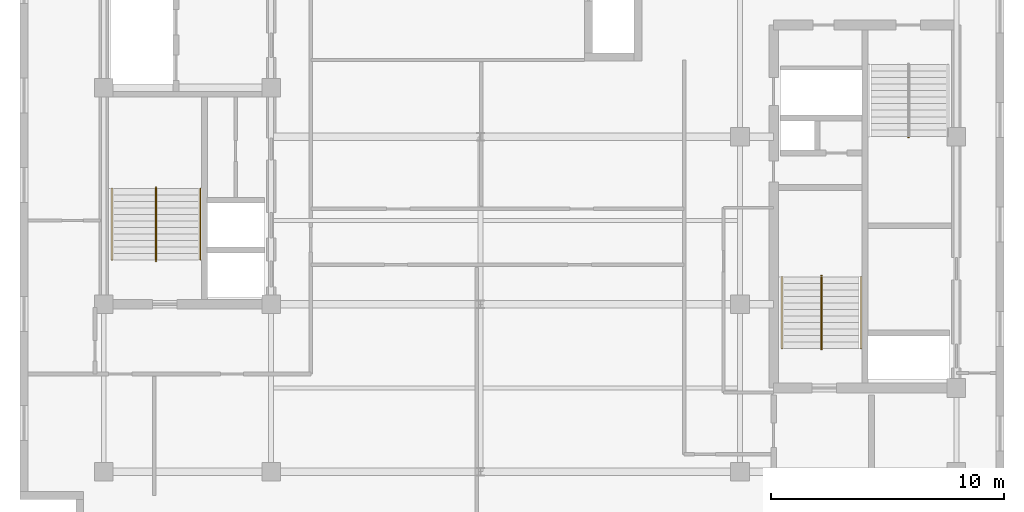
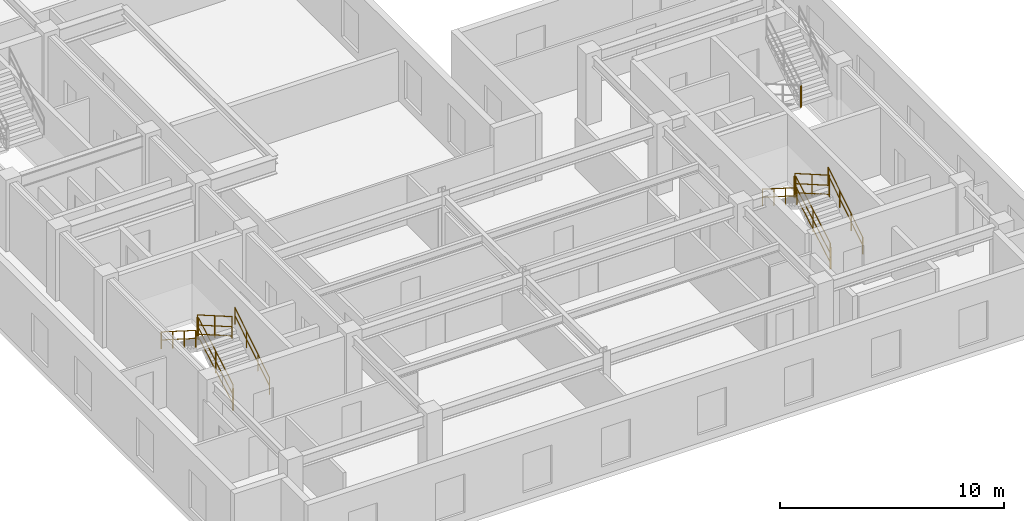
# One storey, part 7 of 9: 13 railings.
"""IFC4 building model written with IfcOpenShell, lengths in metres."""

from ifc_helpers import new_model, entity, si_unit, converted_unit, direction, frame, origin_with_axes, origin_2d_with_axis, place, context, subcontext, project, spatial, rectangle, circle, extrude, material, type_object, element, save


model = new_model("IFC4")

# Units and contexts
model_context = context("Model", 3, precision=1e-05, world=origin_with_axes(), true_north=direction((0.0, 1.0)))
body_context = subcontext(model_context, "Body", "Model", "MODEL_VIEW")
ifc_project = project(units=[si_unit("LENGTHUNIT", "METRE"), si_unit("AREAUNIT", "SQUARE_METRE"), si_unit("VOLUMEUNIT", "CUBIC_METRE"), converted_unit("PLANEANGLEUNIT", "DEGREE", entity("IfcPlaneAngleMeasure", 0.017453292519943295), si_unit("PLANEANGLEUNIT", "RADIAN"), dimensions=[0, 0, 0, 0, 0, 0, 0]), si_unit("MASSUNIT", "GRAM", prefix="KILO"), si_unit("THERMODYNAMICTEMPERATUREUNIT", "KELVIN")], contexts=[model_context])

# Site, building, storey
site_placement = place(None, origin_with_axes())
site = spatial("IfcSite", under=ifc_project, at=site_placement, CompositionType="ELEMENT")
building_placement = place(site_placement, origin_with_axes())
building = spatial("IfcBuilding", under=site, at=building_placement, Name="Varnlund Millrace Tower", CompositionType="ELEMENT")
storey_placement = place(building_placement, frame((0.0, 0.0, 252.9), z_axis=(0.0, 0.0, 1.0), x_axis=(1.0, 0.0, 0.0)))
storey = spatial("IfcBuildingStorey", under=building, at=storey_placement, Name="L62", CompositionType="ELEMENT", Elevation=252.9)

# Railings
ifc_material_1 = material(Name="Painted steel stair well balustrade guard", Category="steel")
railing_type_1 = type_object("IfcRailingType", Name="Type-StairGuard-1150", PredefinedType="GUARDRAIL", material=ifc_material_1)
railing_1_placement = place(storey_placement, frame((0.0, 0.0, -252.9), z_axis=(0.0, 0.0, 1.0), x_axis=(1.0, 0.0, 0.0)))
element("IfcRailing", 1, at=railing_1_placement, inside=storey, type_object=railing_type_1, Name="Type-StairGuard-1150", PredefinedType="GUARDRAIL", context=body_context, shape_type="SweptSolid", body=[
    extrude(circle(Radius=0.024, at=origin_2d_with_axis()), frame((13.675, 12.7, 254.227273), z_axis=(0.0, 0.866696, 0.498836), x_axis=(-1.0, 0.0, 0.0)), (0.0, 0.0, 1.0), 3.553725),
    extrude(circle(Radius=0.024, at=origin_2d_with_axis()), frame((13.675, 12.7, 253.177273), z_axis=(0.0, 0.866696, 0.498836), x_axis=(-1.0, 0.0, 0.0)), (0.0, 0.0, 1.0), 3.553725),
    extrude(circle(Radius=0.024, at=origin_2d_with_axis()), frame((13.675, 12.7, 253.675273), z_axis=(0.0, 0.866696, 0.498836), x_axis=(-1.0, 0.0, 0.0)), (0.0, 0.0, 1.0), 3.553725),
    extrude(rectangle(XDim=0.04, YDim=0.04, at=origin_2d_with_axis()), frame((13.675, 12.7, 253.037273), z_axis=(0.0, 0.0, 1.0), x_axis=(1.0, 0.0, 0.0)), (0.0, 0.0, 1.0), 1.19),
    extrude(rectangle(XDim=0.04, YDim=0.04, at=origin_2d_with_axis()), frame((13.675, 14.24, 253.923637), z_axis=(0.0, 0.0, 1.0), x_axis=(1.0, 0.0, 0.0)), (0.0, 0.0, 1.0), 1.19),
    extrude(rectangle(XDim=0.04, YDim=0.04, at=origin_2d_with_axis()), frame((13.675, 15.78, 254.81), z_axis=(0.0, 0.0, 1.0), x_axis=(1.0, 0.0, 0.0)), (0.0, 0.0, 1.0), 1.19),
])
railing_2_placement = place(storey_placement, frame((0.0, 0.0, -252.9), z_axis=(0.0, 0.0, 1.0), x_axis=(1.0, 0.0, 0.0)))
element("IfcRailing", 2, at=railing_2_placement, inside=storey, type_object=railing_type_1, Name="Type-StairGuard-1150", PredefinedType="GUARDRAIL", context=body_context, shape_type="SweptSolid", body=[
    extrude(circle(Radius=0.024, at=origin_2d_with_axis()), frame((13.625, 15.83, 256.0), z_axis=(1.0, 0.0, 0.0), x_axis=(0.0, 1.0, 0.0)), (0.0, 0.0, 1.0), 0.05),
    extrude(circle(Radius=0.024, at=origin_2d_with_axis()), frame((13.625, 15.83, 254.95), z_axis=(1.0, 0.0, 0.0), x_axis=(0.0, 1.0, 0.0)), (0.0, 0.0, 1.0), 0.05),
    extrude(circle(Radius=0.024, at=origin_2d_with_axis()), frame((13.625, 15.83, 255.448), z_axis=(1.0, 0.0, 0.0), x_axis=(0.0, 1.0, 0.0)), (0.0, 0.0, 1.0), 0.05),
    extrude(rectangle(XDim=0.04, YDim=0.04, at=origin_2d_with_axis()), frame((13.625, 15.83, 254.81), z_axis=(0.0, 0.0, 1.0), x_axis=(1.0, 0.0, 0.0)), (0.0, 0.0, 1.0), 1.19),
    extrude(rectangle(XDim=0.04, YDim=0.04, at=origin_2d_with_axis()), frame((13.675, 15.83, 254.81), z_axis=(0.0, 0.0, 1.0), x_axis=(1.0, 0.0, 0.0)), (0.0, 0.0, 1.0), 1.19),
])
railing_3_placement = place(storey_placement, frame((0.0, 0.0, -252.9), z_axis=(0.0, 0.0, 1.0), x_axis=(1.0, 0.0, 0.0)))
element("IfcRailing", 3, at=railing_3_placement, inside=storey, type_object=railing_type_1, Name="Type-StairGuard-1150", PredefinedType="GUARDRAIL", context=body_context, shape_type="SweptSolid", body=[
    extrude(circle(Radius=0.024, at=origin_2d_with_axis()), frame((13.625, 15.78, 256.177273), z_axis=(0.0, -0.866696, 0.498836), x_axis=(1.0, 0.0, 0.0)), (0.0, 0.0, 1.0), 3.553725),
    extrude(circle(Radius=0.024, at=origin_2d_with_axis()), frame((13.625, 15.78, 255.127273), z_axis=(0.0, -0.866696, 0.498836), x_axis=(1.0, 0.0, 0.0)), (0.0, 0.0, 1.0), 3.553725),
    extrude(circle(Radius=0.024, at=origin_2d_with_axis()), frame((13.625, 15.78, 255.625273), z_axis=(0.0, -0.866696, 0.498836), x_axis=(1.0, 0.0, 0.0)), (0.0, 0.0, 1.0), 3.553725),
    extrude(rectangle(XDim=0.04, YDim=0.04, at=origin_2d_with_axis()), frame((13.625, 15.78, 254.987273), z_axis=(0.0, 0.0, 1.0), x_axis=(1.0, 0.0, 0.0)), (0.0, 0.0, 1.0), 1.19),
    extrude(rectangle(XDim=0.04, YDim=0.04, at=origin_2d_with_axis()), frame((13.625, 14.24, 255.873637), z_axis=(0.0, 0.0, 1.0), x_axis=(1.0, 0.0, 0.0)), (0.0, 0.0, 1.0), 1.19),
    extrude(rectangle(XDim=0.04, YDim=0.04, at=origin_2d_with_axis()), frame((13.625, 12.7, 256.76), z_axis=(0.0, 0.0, 1.0), x_axis=(1.0, 0.0, 0.0)), (0.0, 0.0, 1.0), 1.19),
])
railing_4_placement = place(storey_placement, frame((0.0, 0.0, -252.9), z_axis=(0.0, 0.0, 1.0), x_axis=(1.0, 0.0, 0.0)))
element("IfcRailing", 4, at=railing_4_placement, inside=storey, type_object=railing_type_1, Name="Type-StairGuard-1150", PredefinedType="GUARDRAIL", context=body_context, shape_type="SweptSolid", body=[
    extrude(circle(Radius=0.024, at=origin_2d_with_axis()), frame((13.625, 12.65, 254.05), z_axis=(1.0, 0.0, 0.0), x_axis=(0.0, 1.0, 0.0)), (0.0, 0.0, 1.0), 0.05),
    extrude(circle(Radius=0.024, at=origin_2d_with_axis()), frame((13.625, 12.65, 253.0), z_axis=(1.0, 0.0, 0.0), x_axis=(0.0, 1.0, 0.0)), (0.0, 0.0, 1.0), 0.05),
    extrude(circle(Radius=0.024, at=origin_2d_with_axis()), frame((13.625, 12.65, 253.498), z_axis=(1.0, 0.0, 0.0), x_axis=(0.0, 1.0, 0.0)), (0.0, 0.0, 1.0), 0.05),
    extrude(rectangle(XDim=0.04, YDim=0.04, at=origin_2d_with_axis()), frame((13.625, 12.65, 252.86), z_axis=(0.0, 0.0, 1.0), x_axis=(1.0, 0.0, 0.0)), (0.0, 0.0, 1.0), 1.19),
    extrude(rectangle(XDim=0.04, YDim=0.04, at=origin_2d_with_axis()), frame((13.675, 12.65, 252.86), z_axis=(0.0, 0.0, 1.0), x_axis=(1.0, 0.0, 0.0)), (0.0, 0.0, 1.0), 1.19),
])
railing_5_placement = place(storey_placement, frame((0.0, 0.0, -252.9), z_axis=(0.0, 0.0, 1.0), x_axis=(1.0, 0.0, 0.0)))
element("IfcRailing", 5, at=railing_5_placement, inside=storey, type_object=railing_type_1, Name="Type-StairGuard-1150", PredefinedType="GUARDRAIL", context=body_context, shape_type="SweptSolid", body=[
    extrude(circle(Radius=0.024, at=origin_2d_with_axis()), frame((42.275, 8.9, 254.227273), z_axis=(0.0, 0.866696, 0.498836), x_axis=(-1.0, 0.0, 0.0)), (0.0, 0.0, 1.0), 3.553725),
    extrude(circle(Radius=0.024, at=origin_2d_with_axis()), frame((42.275, 8.9, 253.177273), z_axis=(0.0, 0.866696, 0.498836), x_axis=(-1.0, 0.0, 0.0)), (0.0, 0.0, 1.0), 3.553725),
    extrude(circle(Radius=0.024, at=origin_2d_with_axis()), frame((42.275, 8.9, 253.675273), z_axis=(0.0, 0.866696, 0.498836), x_axis=(-1.0, 0.0, 0.0)), (0.0, 0.0, 1.0), 3.553725),
    extrude(rectangle(XDim=0.04, YDim=0.04, at=origin_2d_with_axis()), frame((42.275, 8.9, 253.037273), z_axis=(0.0, 0.0, 1.0), x_axis=(1.0, 0.0, 0.0)), (0.0, 0.0, 1.0), 1.19),
    extrude(rectangle(XDim=0.04, YDim=0.04, at=origin_2d_with_axis()), frame((42.275, 10.44, 253.923637), z_axis=(0.0, 0.0, 1.0), x_axis=(1.0, 0.0, 0.0)), (0.0, 0.0, 1.0), 1.19),
    extrude(rectangle(XDim=0.04, YDim=0.04, at=origin_2d_with_axis()), frame((42.275, 11.98, 254.81), z_axis=(0.0, 0.0, 1.0), x_axis=(1.0, 0.0, 0.0)), (0.0, 0.0, 1.0), 1.19),
])
railing_6_placement = place(storey_placement, frame((0.0, 0.0, -252.9), z_axis=(0.0, 0.0, 1.0), x_axis=(1.0, 0.0, 0.0)))
element("IfcRailing", 6, at=railing_6_placement, inside=storey, type_object=railing_type_1, Name="Type-StairGuard-1150", PredefinedType="GUARDRAIL", context=body_context, shape_type="SweptSolid", body=[
    extrude(circle(Radius=0.024, at=origin_2d_with_axis()), frame((42.225, 12.03, 256.0), z_axis=(1.0, 0.0, 0.0), x_axis=(0.0, 1.0, 0.0)), (0.0, 0.0, 1.0), 0.05),
    extrude(circle(Radius=0.024, at=origin_2d_with_axis()), frame((42.225, 12.03, 254.95), z_axis=(1.0, 0.0, 0.0), x_axis=(0.0, 1.0, 0.0)), (0.0, 0.0, 1.0), 0.05),
    extrude(circle(Radius=0.024, at=origin_2d_with_axis()), frame((42.225, 12.03, 255.448), z_axis=(1.0, 0.0, 0.0), x_axis=(0.0, 1.0, 0.0)), (0.0, 0.0, 1.0), 0.05),
    extrude(rectangle(XDim=0.04, YDim=0.04, at=origin_2d_with_axis()), frame((42.225, 12.03, 254.81), z_axis=(0.0, 0.0, 1.0), x_axis=(1.0, 0.0, 0.0)), (0.0, 0.0, 1.0), 1.19),
    extrude(rectangle(XDim=0.04, YDim=0.04, at=origin_2d_with_axis()), frame((42.275, 12.03, 254.81), z_axis=(0.0, 0.0, 1.0), x_axis=(1.0, 0.0, 0.0)), (0.0, 0.0, 1.0), 1.19),
])
railing_7_placement = place(storey_placement, frame((0.0, 0.0, -252.9), z_axis=(0.0, 0.0, 1.0), x_axis=(1.0, 0.0, 0.0)))
element("IfcRailing", 7, at=railing_7_placement, inside=storey, type_object=railing_type_1, Name="Type-StairGuard-1150", PredefinedType="GUARDRAIL", context=body_context, shape_type="SweptSolid", body=[
    extrude(circle(Radius=0.024, at=origin_2d_with_axis()), frame((42.225, 11.98, 256.177273), z_axis=(0.0, -0.866696, 0.498836), x_axis=(1.0, 0.0, 0.0)), (0.0, 0.0, 1.0), 3.553725),
    extrude(circle(Radius=0.024, at=origin_2d_with_axis()), frame((42.225, 11.98, 255.127273), z_axis=(0.0, -0.866696, 0.498836), x_axis=(1.0, 0.0, 0.0)), (0.0, 0.0, 1.0), 3.553725),
    extrude(circle(Radius=0.024, at=origin_2d_with_axis()), frame((42.225, 11.98, 255.625273), z_axis=(0.0, -0.866696, 0.498836), x_axis=(1.0, 0.0, 0.0)), (0.0, 0.0, 1.0), 3.553725),
    extrude(rectangle(XDim=0.04, YDim=0.04, at=origin_2d_with_axis()), frame((42.225, 11.98, 254.987273), z_axis=(0.0, 0.0, 1.0), x_axis=(1.0, 0.0, 0.0)), (0.0, 0.0, 1.0), 1.19),
    extrude(rectangle(XDim=0.04, YDim=0.04, at=origin_2d_with_axis()), frame((42.225, 10.44, 255.873637), z_axis=(0.0, 0.0, 1.0), x_axis=(1.0, 0.0, 0.0)), (0.0, 0.0, 1.0), 1.19),
    extrude(rectangle(XDim=0.04, YDim=0.04, at=origin_2d_with_axis()), frame((42.225, 8.9, 256.76), z_axis=(0.0, 0.0, 1.0), x_axis=(1.0, 0.0, 0.0)), (0.0, 0.0, 1.0), 1.19),
])
railing_8_placement = place(storey_placement, frame((0.0, 0.0, -252.9), z_axis=(0.0, 0.0, 1.0), x_axis=(1.0, 0.0, 0.0)))
element("IfcRailing", 8, at=railing_8_placement, inside=storey, type_object=railing_type_1, Name="Type-StairGuard-1150", PredefinedType="GUARDRAIL", context=body_context, shape_type="SweptSolid", body=[
    extrude(circle(Radius=0.024, at=origin_2d_with_axis()), frame((42.225, 8.85, 254.05), z_axis=(1.0, 0.0, 0.0), x_axis=(0.0, 1.0, 0.0)), (0.0, 0.0, 1.0), 0.05),
    extrude(circle(Radius=0.024, at=origin_2d_with_axis()), frame((42.225, 8.85, 253.0), z_axis=(1.0, 0.0, 0.0), x_axis=(0.0, 1.0, 0.0)), (0.0, 0.0, 1.0), 0.05),
    extrude(circle(Radius=0.024, at=origin_2d_with_axis()), frame((42.225, 8.85, 253.498), z_axis=(1.0, 0.0, 0.0), x_axis=(0.0, 1.0, 0.0)), (0.0, 0.0, 1.0), 0.05),
    extrude(rectangle(XDim=0.04, YDim=0.04, at=origin_2d_with_axis()), frame((42.225, 8.85, 252.86), z_axis=(0.0, 0.0, 1.0), x_axis=(1.0, 0.0, 0.0)), (0.0, 0.0, 1.0), 1.19),
    extrude(rectangle(XDim=0.04, YDim=0.04, at=origin_2d_with_axis()), frame((42.275, 8.85, 252.86), z_axis=(0.0, 0.0, 1.0), x_axis=(1.0, 0.0, 0.0)), (0.0, 0.0, 1.0), 1.19),
])
railing_9_placement = place(storey_placement, frame((0.0, 0.0, -252.9), z_axis=(0.0, 0.0, 1.0), x_axis=(1.0, 0.0, 0.0)))
element("IfcRailing", 9, at=railing_9_placement, inside=storey, type_object=railing_type_1, Name="Type-StairGuard-1150", PredefinedType="GUARDRAIL", context=body_context, shape_type="SweptSolid", body=[
    extrude(circle(Radius=0.024, at=origin_2d_with_axis()), frame((46.025, 17.97, 256.0), z_axis=(-1.0, 0.0, 0.0), x_axis=(0.0, -1.0, 0.0)), (0.0, 0.0, 1.0), 0.05),
    extrude(circle(Radius=0.024, at=origin_2d_with_axis()), frame((46.025, 17.97, 254.95), z_axis=(-1.0, 0.0, 0.0), x_axis=(0.0, -1.0, 0.0)), (0.0, 0.0, 1.0), 0.05),
    extrude(circle(Radius=0.024, at=origin_2d_with_axis()), frame((46.025, 17.97, 255.448), z_axis=(-1.0, 0.0, 0.0), x_axis=(0.0, -1.0, 0.0)), (0.0, 0.0, 1.0), 0.05),
    extrude(rectangle(XDim=0.04, YDim=0.04, at=origin_2d_with_axis()), frame((46.025, 17.97, 254.81), z_axis=(0.0, 0.0, 1.0), x_axis=(1.0, 0.0, 0.0)), (0.0, 0.0, 1.0), 1.19),
    extrude(rectangle(XDim=0.04, YDim=0.04, at=origin_2d_with_axis()), frame((45.975, 17.97, 254.81), z_axis=(0.0, 0.0, 1.0), x_axis=(1.0, 0.0, 0.0)), (0.0, 0.0, 1.0), 1.19),
])
ifc_material_2 = material(Name="Brushed architectural bronze stair handrail", Category="aluminium")
railing_type_2 = type_object("IfcRailingType", Name="Type-StairHandrail-900", PredefinedType="HANDRAIL", material=ifc_material_2)
railing_10_placement = place(storey_placement, frame((0.0, 0.0, -252.9), z_axis=(0.0, 0.0, 1.0), x_axis=(1.0, 0.0, 0.0)))
element("IfcRailing", 10, at=railing_10_placement, inside=storey, type_object=railing_type_2, Name="Type-StairHandrail-900", PredefinedType="HANDRAIL", context=body_context, shape_type="SweptSolid", body=[
    extrude(circle(Radius=0.024, at=origin_2d_with_axis()), frame((15.55, 12.7, 253.956995), z_axis=(0.0, 0.844902, 0.534922), x_axis=(-1.0, 0.0, 0.0)), (0.0, 0.0, 1.0), 3.645394),
    extrude(circle(Radius=0.024, at=origin_2d_with_axis()), frame((15.55, 12.7, 253.517134), z_axis=(0.0, 0.844902, 0.534922), x_axis=(-1.0, 0.0, 0.0)), (0.0, 0.0, 1.0), 3.645394),
    extrude(rectangle(XDim=0.04, YDim=0.04, at=origin_2d_with_axis()), frame((15.55, 12.7, 253.037273), z_axis=(0.0, 0.0, 1.0), x_axis=(1.0, 0.0, 0.0)), (0.0, 0.0, 1.0), 0.919722),
    extrude(rectangle(XDim=0.04, YDim=0.04, at=origin_2d_with_axis()), frame((15.55, 13.726667, 253.687273), z_axis=(0.0, 0.0, 1.0), x_axis=(1.0, 0.0, 0.0)), (0.0, 0.0, 1.0), 0.919722),
    extrude(rectangle(XDim=0.04, YDim=0.04, at=origin_2d_with_axis()), frame((15.55, 14.753333, 254.337273), z_axis=(0.0, 0.0, 1.0), x_axis=(1.0, 0.0, 0.0)), (0.0, 0.0, 1.0), 0.919722),
    extrude(rectangle(XDim=0.04, YDim=0.04, at=origin_2d_with_axis()), frame((15.55, 15.78, 254.987273), z_axis=(0.0, 0.0, 1.0), x_axis=(1.0, 0.0, 0.0)), (0.0, 0.0, 1.0), 0.919722),
])
railing_11_placement = place(storey_placement, frame((0.0, 0.0, -252.9), z_axis=(0.0, 0.0, 1.0), x_axis=(1.0, 0.0, 0.0)))
element("IfcRailing", 11, at=railing_11_placement, inside=storey, type_object=railing_type_2, Name="Type-StairHandrail-900", PredefinedType="HANDRAIL", context=body_context, shape_type="SweptSolid", body=[
    extrude(circle(Radius=0.024, at=origin_2d_with_axis()), frame((11.75, 15.78, 255.906995), z_axis=(0.0, -0.844902, 0.534922), x_axis=(1.0, 0.0, 0.0)), (0.0, 0.0, 1.0), 3.645394),
    extrude(circle(Radius=0.024, at=origin_2d_with_axis()), frame((11.75, 15.78, 255.467134), z_axis=(0.0, -0.844902, 0.534922), x_axis=(1.0, 0.0, 0.0)), (0.0, 0.0, 1.0), 3.645394),
    extrude(rectangle(XDim=0.04, YDim=0.04, at=origin_2d_with_axis()), frame((11.75, 15.78, 254.987273), z_axis=(0.0, 0.0, 1.0), x_axis=(1.0, 0.0, 0.0)), (0.0, 0.0, 1.0), 0.919722),
    extrude(rectangle(XDim=0.04, YDim=0.04, at=origin_2d_with_axis()), frame((11.75, 14.753333, 255.637273), z_axis=(0.0, 0.0, 1.0), x_axis=(1.0, 0.0, 0.0)), (0.0, 0.0, 1.0), 0.919722),
    extrude(rectangle(XDim=0.04, YDim=0.04, at=origin_2d_with_axis()), frame((11.75, 13.726667, 256.287273), z_axis=(0.0, 0.0, 1.0), x_axis=(1.0, 0.0, 0.0)), (0.0, 0.0, 1.0), 0.919722),
    extrude(rectangle(XDim=0.04, YDim=0.04, at=origin_2d_with_axis()), frame((11.75, 12.7, 256.937273), z_axis=(0.0, 0.0, 1.0), x_axis=(1.0, 0.0, 0.0)), (0.0, 0.0, 1.0), 0.919722),
])
railing_12_placement = place(storey_placement, frame((0.0, 0.0, -252.9), z_axis=(0.0, 0.0, 1.0), x_axis=(1.0, 0.0, 0.0)))
element("IfcRailing", 12, at=railing_12_placement, inside=storey, type_object=railing_type_2, Name="Type-StairHandrail-900", PredefinedType="HANDRAIL", context=body_context, shape_type="SweptSolid", body=[
    extrude(circle(Radius=0.024, at=origin_2d_with_axis()), frame((43.95, 8.9, 253.956995), z_axis=(0.0, 0.844902, 0.534922), x_axis=(-1.0, 0.0, 0.0)), (0.0, 0.0, 1.0), 3.645394),
    extrude(circle(Radius=0.024, at=origin_2d_with_axis()), frame((43.95, 8.9, 253.517134), z_axis=(0.0, 0.844902, 0.534922), x_axis=(-1.0, 0.0, 0.0)), (0.0, 0.0, 1.0), 3.645394),
    extrude(rectangle(XDim=0.04, YDim=0.04, at=origin_2d_with_axis()), frame((43.95, 8.9, 253.037273), z_axis=(0.0, 0.0, 1.0), x_axis=(1.0, 0.0, 0.0)), (0.0, 0.0, 1.0), 0.919722),
    extrude(rectangle(XDim=0.04, YDim=0.04, at=origin_2d_with_axis()), frame((43.95, 9.926667, 253.687273), z_axis=(0.0, 0.0, 1.0), x_axis=(1.0, 0.0, 0.0)), (0.0, 0.0, 1.0), 0.919722),
    extrude(rectangle(XDim=0.04, YDim=0.04, at=origin_2d_with_axis()), frame((43.95, 10.953333, 254.337273), z_axis=(0.0, 0.0, 1.0), x_axis=(1.0, 0.0, 0.0)), (0.0, 0.0, 1.0), 0.919722),
    extrude(rectangle(XDim=0.04, YDim=0.04, at=origin_2d_with_axis()), frame((43.95, 11.98, 254.987273), z_axis=(0.0, 0.0, 1.0), x_axis=(1.0, 0.0, 0.0)), (0.0, 0.0, 1.0), 0.919722),
])
railing_13_placement = place(storey_placement, frame((0.0, 0.0, -252.9), z_axis=(0.0, 0.0, 1.0), x_axis=(1.0, 0.0, 0.0)))
element("IfcRailing", 13, at=railing_13_placement, inside=storey, type_object=railing_type_2, Name="Type-StairHandrail-900", PredefinedType="HANDRAIL", context=body_context, shape_type="SweptSolid", body=[
    extrude(circle(Radius=0.024, at=origin_2d_with_axis()), frame((40.55, 11.98, 255.906995), z_axis=(0.0, -0.844902, 0.534922), x_axis=(1.0, 0.0, 0.0)), (0.0, 0.0, 1.0), 3.645394),
    extrude(circle(Radius=0.024, at=origin_2d_with_axis()), frame((40.55, 11.98, 255.467134), z_axis=(0.0, -0.844902, 0.534922), x_axis=(1.0, 0.0, 0.0)), (0.0, 0.0, 1.0), 3.645394),
    extrude(rectangle(XDim=0.04, YDim=0.04, at=origin_2d_with_axis()), frame((40.55, 11.98, 254.987273), z_axis=(0.0, 0.0, 1.0), x_axis=(1.0, 0.0, 0.0)), (0.0, 0.0, 1.0), 0.919722),
    extrude(rectangle(XDim=0.04, YDim=0.04, at=origin_2d_with_axis()), frame((40.55, 10.953333, 255.637273), z_axis=(0.0, 0.0, 1.0), x_axis=(1.0, 0.0, 0.0)), (0.0, 0.0, 1.0), 0.919722),
    extrude(rectangle(XDim=0.04, YDim=0.04, at=origin_2d_with_axis()), frame((40.55, 9.926667, 256.287273), z_axis=(0.0, 0.0, 1.0), x_axis=(1.0, 0.0, 0.0)), (0.0, 0.0, 1.0), 0.919722),
    extrude(rectangle(XDim=0.04, YDim=0.04, at=origin_2d_with_axis()), frame((40.55, 8.9, 256.937273), z_axis=(0.0, 0.0, 1.0), x_axis=(1.0, 0.0, 0.0)), (0.0, 0.0, 1.0), 0.919722),
])

save(model, "model.ifc")
